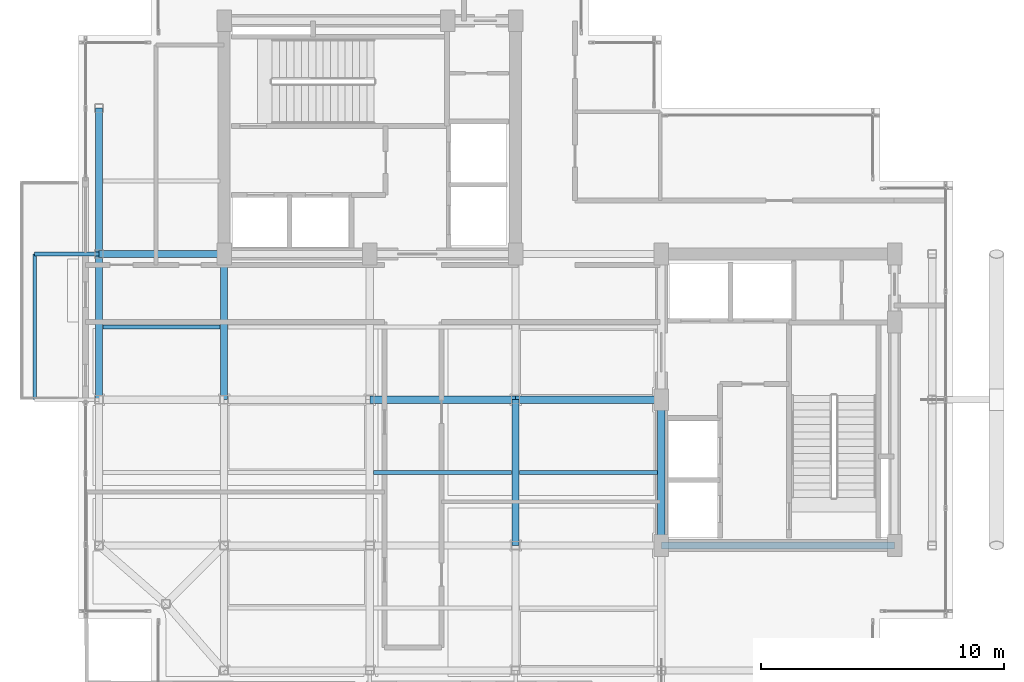
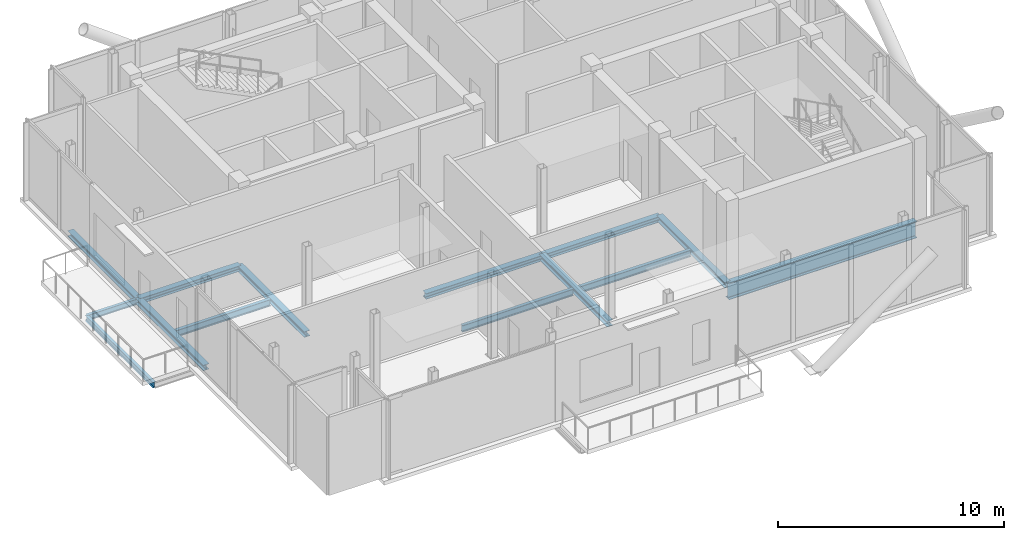
# One storey, part 4 of 16: 14 beams.
"""IFC4 building model written with IfcOpenShell, lengths in metres."""

from ifc_helpers import new_model, si_unit, direction, frame, origin, origin_2d, place, context, subcontext, project, spatial, i_section, extrude, material, material_profile, profile_set, type_object, element, save


model = new_model("IFC4")

# Units and contexts
model_context = context("Model", 3, precision=1e-05, world=origin(), true_north=direction((0.0, 1.0)))
body_context = subcontext(model_context, "Body", "Model", "MODEL_VIEW")
ifc_project = project(units=[si_unit("LENGTHUNIT", "METRE"), si_unit("AREAUNIT", "SQUARE_METRE"), si_unit("VOLUMEUNIT", "CUBIC_METRE"), si_unit("PLANEANGLEUNIT", "RADIAN"), si_unit("MASSUNIT", "GRAM", prefix="KILO"), si_unit("THERMODYNAMICTEMPERATUREUNIT", "KELVIN"), si_unit("POWERUNIT", "WATT")], contexts=[model_context])

# Site, building, storey
site_placement = place(None, origin())
site = spatial("IfcSite", under=ifc_project, at=site_placement, CompositionType="ELEMENT")
building_placement = place(site_placement, origin())
building = spatial("IfcBuilding", under=site, at=building_placement, Name="Svarakhadi Broadcast Tower", CompositionType="ELEMENT")
storey_placement = place(building_placement, frame((0.0, 0.0, 296.39990234375)))
storey = spatial("IfcBuildingStorey", under=building, at=storey_placement, Name="L75", CompositionType="ELEMENT", Elevation=296.39990234375)

# Beams
ifc_material_1 = material(Name="Steel S355J2 (IS 2062 E350C)", Category="steel")
ifc_material_profile_1 = material_profile(ifc_material_1, i_section(OverallWidth=0.169921875, OverallDepth=0.360107421875, WebThickness=0.008056640625, FlangeThickness=0.0126953125, FilletRadius=0.01806640625, at=origin_2d()), Name="NPB 360x170x57")
ifc_profile_set_1 = profile_set([ifc_material_profile_1], Name="Steel S355J2 (IS 2062 E350C)")
beam_type_1 = type_object("IfcBeamType", Name="Beam_NPB360", PredefinedType="BEAM", material=ifc_profile_set_1)
beam_1_placement = place(storey_placement, frame((1.010009765625, 15.0, -0.3798828125), z_axis=(1.0, 0.0, 0.0), x_axis=(0.0, 1.0, 0.0)))
element("IfcBeam", 1, at=beam_1_placement, inside=storey, type_object=beam_type_1, Name="L75 Secondary Composite Beam SB002", PredefinedType="BEAM", context=body_context, shape_type="SweptSolid", body=[
    extrude(i_section(OverallWidth=0.169921875, OverallDepth=0.360107421875, WebThickness=0.008056640625, FlangeThickness=0.0126953125, FilletRadius=0.01806640625, at=origin_2d()), origin(), (0.0, 0.0, 1.0), 4.830078125),
])
for number, where, z_axis, x_axis, name in (
    (2, (12.159912109375, 9.0, -0.3798828125), (1.0, 0.0, 0.0), (0.0, 1.0, 0.0), "L75 Secondary Composite Beam SB008"),
    (3, (18.159912109375, 9.0, -0.3798828125), (1.0, 0.0, 0.0), (0.0, 1.0, 0.0), "L75 Secondary Composite Beam SB011"),
):
    element("IfcBeam", number, at=place(storey_placement, frame(where, z_axis=z_axis, x_axis=x_axis)), inside=storey, type_object=beam_type_1, Name=name, PredefinedType="BEAM", context=body_context, shape_type="SweptSolid", body=[
        extrude(i_section(OverallWidth=0.169921875, OverallDepth=0.360107421875, WebThickness=0.008056640625, FlangeThickness=0.0126953125, FilletRadius=0.01806640625, at=origin_2d()), origin(), (0.0, 0.0, 1.0), 5.68017578125),
    ])
ifc_material_profile_2 = material_profile(ifc_material_1, i_section(OverallWidth=0.300048828125, OverallDepth=0.300048828125, WebThickness=0.010986328125, FlangeThickness=0.01904296875, FilletRadius=0.027099609375, at=origin_2d()), Name="WPB 300x300x117")
ifc_profile_set_2 = profile_set([ifc_material_profile_2], Name="Steel S355J2 (IS 2062 E350C)")
beam_type_2 = type_object("IfcBeamType", Name="Girder_WPB300", PredefinedType="USERDEFINED", material=ifc_profile_set_2)
for number, where, z_axis, x_axis, name in (
    (4, (12.0, 12.0, -0.349853515625), (1.0, 0.0, 0.0), (0.0, 1.0, 0.0), "L75 Primary E-W Girder G015"),
    (5, (18.0, 12.0, -0.349853515625), (1.0, 0.0, 0.0), (0.0, 1.0, 0.0), "L75 Primary E-W Girder G016"),
):
    element("IfcBeam", number, at=place(storey_placement, frame(where, z_axis=z_axis, x_axis=x_axis)), inside=storey, type_object=beam_type_2, Name=name, ObjectType="GIRDER", PredefinedType="USERDEFINED", context=body_context, shape_type="SweptSolid", body=[
        extrude(i_section(OverallWidth=0.300048828125, OverallDepth=0.300048828125, WebThickness=0.010986328125, FlangeThickness=0.01904296875, FilletRadius=0.027099609375, at=origin_2d()), origin(), (0.0, 0.0, 1.0), 6.0),
    ])
beam_2_placement = place(storey_placement, frame((0.85009765625, 18.0, -0.349853515625), z_axis=(1.0, 0.0, 0.0), x_axis=(0.0, 1.0, 0.0)))
element("IfcBeam", 6, at=beam_2_placement, inside=storey, type_object=beam_type_2, Name="L75 Primary E-W Girder G017", ObjectType="GIRDER", PredefinedType="USERDEFINED", context=body_context, shape_type="SweptSolid", body=[
    extrude(i_section(OverallWidth=0.300048828125, OverallDepth=0.300048828125, WebThickness=0.010986328125, FlangeThickness=0.01904296875, FilletRadius=0.027099609375, at=origin_2d()), origin(), (0.0, 0.0, 1.0), 5.14990234375),
])
for number, where, z_axis, x_axis, name in (
    (7, (0.85009765625, 12.0, -0.349853515625), (0.0, 1.0, 0.0), (-1.0, 0.0, 0.0), "L75 Primary N-S Girder G027"),
    (8, (0.85009765625, 18.0, -0.349853515625), (0.0, 1.0, 0.0), (-1.0, 0.0, 0.0), "L75 Primary N-S Girder G028"),
    (9, (6.0, 12.0, -0.349853515625), (0.0, 1.0, 0.0), (-1.0, 0.0, 0.0), "L75 Primary N-S Girder G031"),
    (10, (18.0, 6.0, -0.349853515625), (0.0, 1.0, 0.0), (-1.0, 0.0, 0.0), "L75 Primary N-S Girder G037"),
    (11, (24.0, 6.0, -0.349853515625), (0.0, 1.0, 0.0), (-1.0, 0.0, 0.0), "L75 Primary N-S Girder G041"),
):
    element("IfcBeam", number, at=place(storey_placement, frame(where, z_axis=z_axis, x_axis=x_axis)), inside=storey, type_object=beam_type_2, Name=name, ObjectType="GIRDER", PredefinedType="USERDEFINED", context=body_context, shape_type="SweptSolid", body=[
        extrude(i_section(OverallWidth=0.300048828125, OverallDepth=0.300048828125, WebThickness=0.010986328125, FlangeThickness=0.01904296875, FilletRadius=0.027099609375, at=origin_2d()), origin(), (0.0, 0.0, 1.0), 6.0),
    ])
ifc_material_2 = material(Name="Steel S460ML (IS 2062 E450BR)", Category="steel")
ifc_material_profile_3 = material_profile(ifc_material_2, i_section(OverallWidth=0.300048828125, OverallDepth=0.89990234375, WebThickness=0.0185546875, FlangeThickness=0.034912109375, FilletRadius=0.030029296875, at=origin_2d()), Name="WPB 900x300x291")
ifc_profile_set_3 = profile_set([ifc_material_profile_3], Name="Steel S460ML (IS 2062 E450BR)")
beam_type_3 = type_object("IfcBeamType", Name="Girder_WPB900", PredefinedType="USERDEFINED", material=ifc_profile_set_3)
beam_3_placement = place(storey_placement, frame((24.0, 6.0, -0.64990234375), z_axis=(1.0, 0.0, 0.0), x_axis=(0.0, 1.0, 0.0)))
element("IfcBeam", 12, at=beam_3_placement, inside=storey, type_object=beam_type_3, Name="L75 Primary E-W Girder G012", ObjectType="GIRDER", PredefinedType="USERDEFINED", context=body_context, shape_type="SweptSolid", body=[
    extrude(i_section(OverallWidth=0.300048828125, OverallDepth=0.89990234375, WebThickness=0.0185546875, FlangeThickness=0.034912109375, FilletRadius=0.030029296875, at=origin_2d()), origin(), (0.0, 0.0, 1.0), 9.60009765625),
])
ifc_material_profile_4 = material_profile(ifc_material_1, i_section(OverallWidth=0.14990234375, OverallDepth=0.300048828125, WebThickness=0.007080078125, FlangeThickness=0.0107421875, FilletRadius=0.014892578125, at=origin_2d()), Name="NPB 300x150x37")
ifc_profile_set_4 = profile_set([ifc_material_profile_4], Name="Steel S355J2 (IS 2062 E350C)")
beam_type_4 = type_object("IfcBeamType", Name="Spandrel_NPB300", PredefinedType="SPANDREL", material=ifc_profile_set_4)
beam_4_placement = place(storey_placement, frame((0.85009765625, 18.0, -0.375), z_axis=(-1.0, 0.0, 0.0), x_axis=(0.0, -1.0, 0.0)))
element("IfcBeam", 13, at=beam_4_placement, inside=storey, type_object=beam_type_4, Name="L75 Balcony Cantilever Bracket 2B", PredefinedType="SPANDREL", context=body_context, shape_type="SweptSolid", body=[
    extrude(i_section(OverallWidth=0.14990234375, OverallDepth=0.300048828125, WebThickness=0.007080078125, FlangeThickness=0.0107421875, FilletRadius=0.014892578125, at=origin_2d()), origin(), (0.0, 0.0, 1.0), 2.650146484375),
])
beam_5_placement = place(storey_placement, frame((-1.800048828125, 12.0, -0.375), z_axis=(0.0, 1.0, 0.0), x_axis=(-1.0, 0.0, 0.0)))
element("IfcBeam", 14, at=beam_5_placement, inside=storey, type_object=beam_type_4, Name="L75 Balcony Outer Spandrel 2F", PredefinedType="SPANDREL", context=body_context, shape_type="SweptSolid", body=[
    extrude(i_section(OverallWidth=0.14990234375, OverallDepth=0.300048828125, WebThickness=0.007080078125, FlangeThickness=0.0107421875, FilletRadius=0.014892578125, at=origin_2d()), origin(), (0.0, 0.0, 1.0), 6.0),
])

save(model, "model.ifc")
